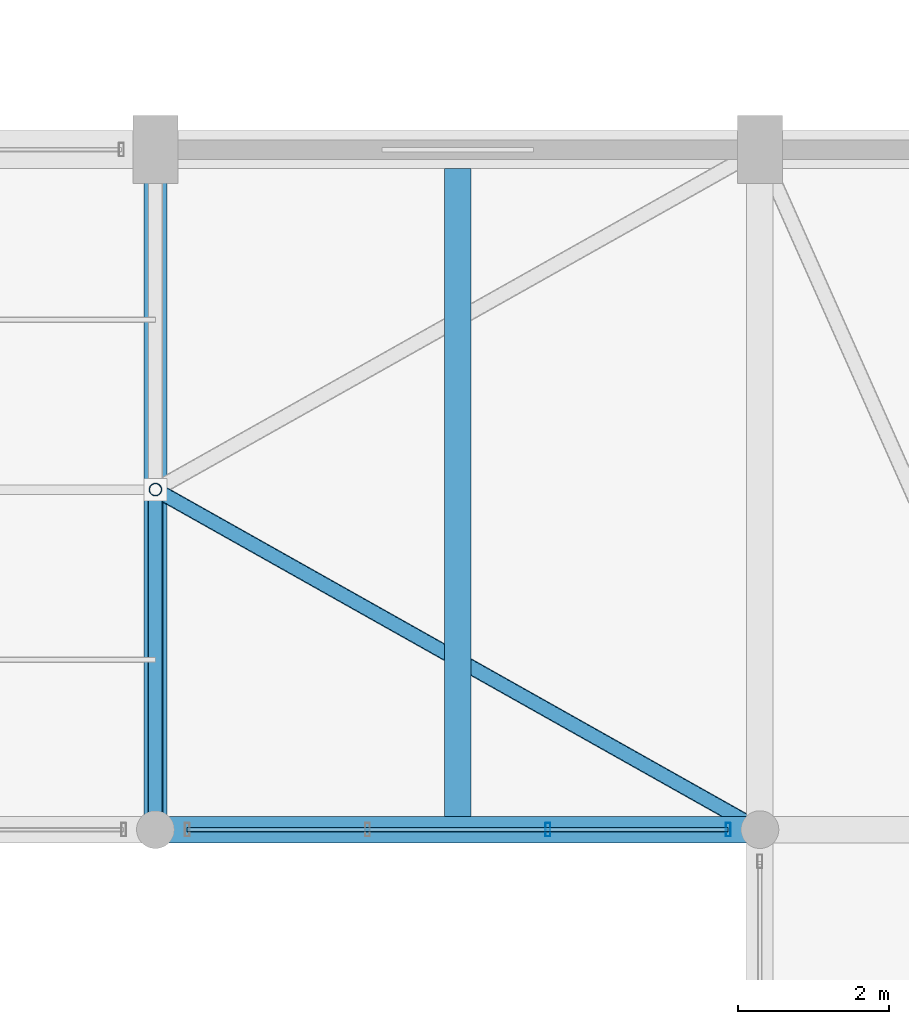
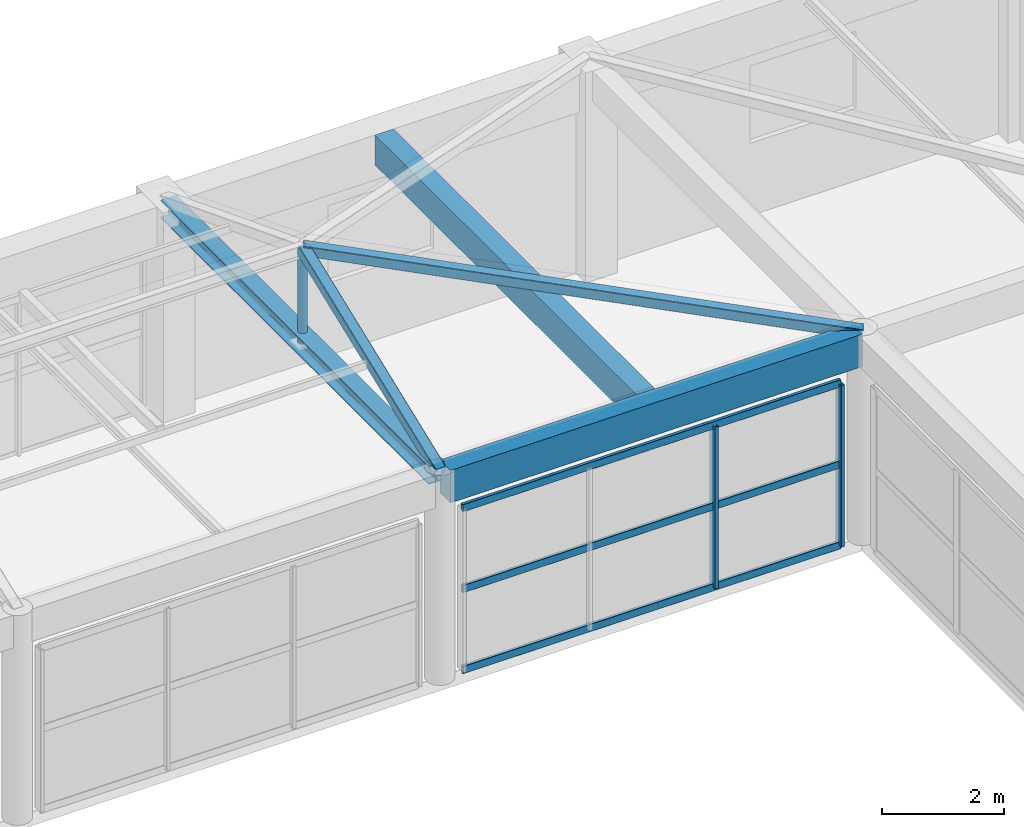
# One storey, part 39 of 65: 8 members, 3 beams, 1 element without a shape of its own.
"""IFC4 building model written with IfcOpenShell, lengths in metres."""

import ifcopenshell
import ifcopenshell.guid

model = None  # the IFC model being written
_history = None  # IfcOwnerHistory: only IFC2X3 demands one
_inside = {}  # id of a spatial element -> (the spatial element, [elements in it])
_under = {}  # id of a project, library or spatial element -> (it, [spatial elements below it])
_declared = {}  # id of a project -> (the project, [libraries it declares])
_typed = {}  # id of a type object -> (the type object, [elements of that type])
_made_of = {}  # id of a material, layer set ... -> (it, [elements and type objects made of it])


def new_model(schema):
    """Start an empty IFC model of exactly this schema.

    Asked for "IFC4X3", IfcOpenShell would pick the latest addendum, in which some entities
    have other attributes; the version numbers below select the first issue.
    IFC2X3 requires an IfcOwnerHistory on every rooted entity: one is made here for all.
    """
    global model, _history
    if schema == "IFC4X3":
        model = ifcopenshell.file(schema_version=(4, 3, 0, 0))
    else:
        model = ifcopenshell.file(schema=schema)
    _inside.clear()
    _under.clear()
    _declared.clear()
    _typed.clear()
    _made_of.clear()
    _history = None
    if model.schema == "IFC2X3":
        org = make("IfcOrganization", Name="unknown")
        user = make(
            "IfcPersonAndOrganization",
            ThePerson=make("IfcPerson", FamilyName="unknown"),
            TheOrganization=org,
        )
        app = make(
            "IfcApplication",
            ApplicationDeveloper=org,
            Version="unknown",
            ApplicationFullName="unknown",
            ApplicationIdentifier="unknown",
        )
        _history = make(
            "IfcOwnerHistory",
            OwningUser=user,
            OwningApplication=app,
            ChangeAction="ADDED",
            CreationDate=0,
        )
    return model


def make(cls, **values):
    """One entity of the class cls with the attributes given. An attribute that is None is left unset."""
    return model.create_entity(
        cls, **{name: value for name, value in values.items() if value is not None}
    )


def rooted(cls, **values):
    """An entity with a GlobalId (a new one), such as an element, a storey or a relation."""
    return make(cls, GlobalId=ifcopenshell.guid.new(), OwnerHistory=_history, **values)


def si_unit(unit_type, name, prefix=None):
    """IfcSIUnit, for example si_unit("LENGTHUNIT", "METRE", prefix="MILLI")."""
    return make("IfcSIUnit", UnitType=unit_type, Prefix=prefix, Name=name)


def assignment(units):
    """IfcUnitAssignment: the units of a project."""
    return None if units is None else make("IfcUnitAssignment", Units=units)


def point(xyz):
    """IfcCartesianPoint."""
    return None if xyz is None else make("IfcCartesianPoint", Coordinates=xyz)


def direction(xyz):
    """IfcDirection."""
    return None if xyz is None else make("IfcDirection", DirectionRatios=xyz)


def frame(location, z_axis=None, x_axis=None):
    """IfcAxis2Placement3D, a coordinate frame: its origin and axes. An axis left out is left unset."""
    return make(
        "IfcAxis2Placement3D",
        Location=point(location),
        Axis=direction(z_axis),
        RefDirection=direction(x_axis),
    )


def frame_2d(location, x_axis=None):
    """IfcAxis2Placement2D, a coordinate frame in the plane: its origin and x axis."""
    return make(
        "IfcAxis2Placement2D", Location=point(location), RefDirection=direction(x_axis)
    )


def origin():
    """The frame at (0, 0, 0) with its axes left unset."""
    return frame((0.0, 0.0, 0.0))


def origin_2d():
    """The frame at (0, 0) in the plane with its x axis left unset."""
    return frame_2d((0.0, 0.0))


def place(relative_to, where):
    """IfcLocalPlacement: puts the frame where relative to a parent placement (None: the world)."""
    return make(
        "IfcLocalPlacement", PlacementRelTo=relative_to, RelativePlacement=where
    )


def context(
    kind, dimensions, precision=None, world=None, true_north=None, identifier=None
):
    """IfcGeometricRepresentationContext, for example the 3D "Model" context."""
    return make(
        "IfcGeometricRepresentationContext",
        ContextIdentifier=identifier,
        ContextType=kind,
        CoordinateSpaceDimension=dimensions,
        Precision=precision,
        WorldCoordinateSystem=world,
        TrueNorth=true_north,
    )


def subcontext(parent, identifier, kind, view, scale=None):
    """IfcGeometricRepresentationSubContext, for example "Body" below "Model"."""
    return make(
        "IfcGeometricRepresentationSubContext",
        ContextIdentifier=identifier,
        ContextType=kind,
        ParentContext=parent,
        TargetScale=scale,
        TargetView=view,
    )


def project(units=None, contexts=None):
    """IfcProject with its units and contexts."""
    return rooted(
        "IfcProject",
        Name="project",
        RepresentationContexts=contexts,
        UnitsInContext=assignment(units),
    )


def spatial(cls, under=None, at=None, **own):
    """A site, building, storey or space (cls), placed at a placement, below another one or the project."""
    s = rooted(cls, ObjectPlacement=at, **own)
    if under is not None:
        _under.setdefault(under.id(), (under, []))[1].append(s)
    return s


def profile(cls, at=None, kind="AREA", **sizes):
    """A parametric profile (cls). Its sizes go by their IFC names, for example OverallWidth=200.0."""
    return make(cls, ProfileType=kind, Position=at, **sizes)


def rectangle(**sizes):
    """IfcRectangleProfileDef."""
    return profile("IfcRectangleProfileDef", **sizes)


def hollow_rectangle(**sizes):
    """IfcRectangleHollowProfileDef."""
    return profile("IfcRectangleHollowProfileDef", **sizes)


def hollow_circle(**sizes):
    """IfcCircleHollowProfileDef."""
    return profile("IfcCircleHollowProfileDef", **sizes)


def i_section(**sizes):
    """IfcIShapeProfileDef."""
    return profile("IfcIShapeProfileDef", **sizes)


def extrude(swept, where, along, depth):
    """IfcExtrudedAreaSolid: the profile swept, set in the frame where, extruded along a direction by depth."""
    return make(
        "IfcExtrudedAreaSolid",
        SweptArea=swept,
        Position=where,
        ExtrudedDirection=direction(along),
        Depth=depth,
    )


def shape(context_of_items, identifier, shape_type, items):
    """IfcShapeRepresentation: the items that make up one representation, for example the "Body"."""
    return make(
        "IfcShapeRepresentation",
        ContextOfItems=context_of_items,
        RepresentationIdentifier=identifier,
        RepresentationType=shape_type,
        Items=items,
    )


def material(Name=None, Category=None):
    """IfcMaterial."""
    return make("IfcMaterial", Name=Name, Category=Category)


def material_profile(
    of_material, cross_section, Name=None, Category=None, Priority=None
):
    """IfcMaterialProfile: a cross section and its material."""
    return make(
        "IfcMaterialProfile",
        Name=Name,
        Material=of_material,
        Profile=cross_section,
        Priority=Priority,
        Category=Category,
    )


def profile_set(profiles, Name=None, composite=None):
    """IfcMaterialProfileSet."""
    return make(
        "IfcMaterialProfileSet",
        Name=Name,
        MaterialProfiles=profiles,
        CompositeProfile=composite,
    )


def made_of(thing, what):
    """Note that an element or type object is made of a material, layer set ...; save() writes the relation."""
    if what is not None:
        _made_of.setdefault(what.id(), (what, []))[1].append(thing)
    return thing


def type_object(cls, material=None, **own):
    """A type object (cls), such as IfcWallType, which elements share."""
    return made_of(rooted(cls, **own), material)


def element(
    cls,
    number,
    at=None,
    inside=None,
    cuts=None,
    type_object=None,
    material=None,
    context=None,
    identifier="Body",
    shape_type=None,
    held_by="IfcProductDefinitionShape",
    body=None,
    shapes=None,
    **own,
):
    """One element of the class cls, such as IfcWall. Its Tag is "e" and its number.

    at: its placement. inside: the storey or other place that contains it. cuts: it is an
    opening in that element (IfcRelVoidsElement). A single representation is given by context,
    identifier, shape_type and body (its items); several are given by shapes. held_by: the class
    of the entity that holds the representations. save() writes the other relations.
    """
    e = rooted(cls, Tag="e%d" % number, ObjectPlacement=at, **own)
    if body is not None:
        shapes = [shape(context, identifier, shape_type, body)]
    if shapes is not None:
        e.Representation = make(held_by, Representations=shapes)
    if inside is not None:
        _inside.setdefault(inside.id(), (inside, []))[1].append(e)
    if cuts is not None:
        rooted(
            "IfcRelVoidsElement", RelatingBuildingElement=cuts, RelatedOpeningElement=e
        )
    if type_object is not None:
        _typed.setdefault(type_object.id(), (type_object, []))[1].append(e)
    return made_of(e, material)


def aggregate(whole, parts):
    """IfcRelAggregates: a whole, such as a stair, and the parts it consists of."""
    return rooted("IfcRelAggregates", RelatingObject=whole, RelatedObjects=parts)


def save(model, path):
    """Write the relations noted so far, then the file.

    IfcRelAggregates (storeys below a building ...), IfcRelContainedInSpatialStructure (elements
    in a storey), IfcRelDefinesByType, IfcRelAssociatesMaterial and IfcRelDeclares: one each for
    every whole, place, type object, material and project.
    """
    for whole, parts in _under.values():
        aggregate(whole, parts)
    for where, things in _inside.values():
        rooted(
            "IfcRelContainedInSpatialStructure",
            RelatedElements=things,
            RelatingStructure=where,
        )
    for kind, things in _typed.values():
        rooted("IfcRelDefinesByType", RelatedObjects=things, RelatingType=kind)
    for what, things in _made_of.values():
        rooted("IfcRelAssociatesMaterial", RelatedObjects=things, RelatingMaterial=what)
    for by, libraries in _declared.values():
        rooted("IfcRelDeclares", RelatingContext=by, RelatedDefinitions=libraries)
    model.write(path)


model = new_model("IFC4")

# Units and contexts
model_context = context("Model", 3, precision=1e-05, world=origin(), true_north=direction((0.0, 1.0)))
body_context = subcontext(model_context, "Body", "Model", "MODEL_VIEW")
ifc_project = project(units=[si_unit("LENGTHUNIT", "METRE"), si_unit("AREAUNIT", "SQUARE_METRE"), si_unit("VOLUMEUNIT", "CUBIC_METRE"), si_unit("PLANEANGLEUNIT", "RADIAN"), si_unit("MASSUNIT", "GRAM", prefix="KILO")], contexts=[model_context])

# Site, building, storey
site_placement = place(None, origin())
site = spatial("IfcSite", under=ifc_project, at=site_placement, CompositionType="ELEMENT")
building_placement = place(site_placement, origin())
building = spatial("IfcBuilding", under=site, at=building_placement, Name="Varnabhumi Central Station", CompositionType="ELEMENT")
storey_placement = place(building_placement, frame((0.0, 0.0, 24.60009765625)))
storey = spatial("IfcBuildingStorey", under=building, at=storey_placement, Name="L05", CompositionType="ELEMENT", Elevation=24.60009765625)

# Beams
ifc_material_1 = material(Name="Concrete M40", Category="concrete")
ifc_material_profile_1 = material_profile(ifc_material_1, rectangle(XDim=0.35009765625, YDim=0.64990234375, at=origin_2d()), Name="Concrete M40", Category="concrete")
ifc_profile_set_1 = profile_set([ifc_material_profile_1], Name="Concrete M40")
beam_type_1 = type_object("IfcBeamType", Name="BM-RC-350x650", PredefinedType="BEAM", material=ifc_profile_set_1)
beam_1_placement = place(storey_placement, frame((136.10009765625, 27.0, 3.875), z_axis=(1.0, 0.0, 0.0), x_axis=(0.0, 1.0, 0.0)))
element("IfcBeam", 1, at=beam_1_placement, inside=storey, type_object=beam_type_1, Name="Beam L05-D:18-19", PredefinedType="BEAM", context=body_context, shape_type="SweptSolid", body=[
    extrude(rectangle(XDim=0.35009765625, YDim=0.64990234375, at=origin_2d()), origin(), (0.0, 0.0, 1.0), 7.7998046875),
])
ifc_material_profile_2 = material_profile(ifc_material_1, rectangle(XDim=0.35009765625, YDim=0.60009765625, at=origin_2d()), Name="Concrete M40", Category="concrete")
ifc_profile_set_2 = profile_set([ifc_material_profile_2], Name="Concrete M40")
beam_type_2 = type_object("IfcBeamType", Name="BM-RC-600x350", PredefinedType="JOIST", material=ifc_profile_set_2)
beam_2_placement = place(storey_placement, frame((140.0, 27.175048828125, 3.89990234375), z_axis=(0.0, 1.0, 0.0), x_axis=(-1.0, 0.0, 0.0)))
element("IfcBeam", 2, at=beam_2_placement, inside=storey, type_object=beam_type_2, Name="Secondary Joist L05-18/19:D-E", PredefinedType="JOIST", context=body_context, shape_type="SweptSolid", body=[
    extrude(rectangle(XDim=0.35009765625, YDim=0.60009765625, at=origin_2d()), origin(), (0.0, 0.0, 1.0), 8.574951171875),
])
ifc_material_2 = material(Name="Structural steel E350", Category="steel")
ifc_material_profile_3 = material_profile(ifc_material_2, i_section(OverallWidth=0.300048828125, OverallDepth=0.360107421875, WebThickness=0.012451171875, FlangeThickness=0.0224609375, FilletRadius=0.027099609375, at=origin_2d()), Name="Structural steel E350", Category="steel")
ifc_profile_set_3 = profile_set([ifc_material_profile_3], Name="Structural steel E350")
beam_type_3 = type_object("IfcBeamType", Name="BM-STL-WPB360", PredefinedType="BEAM", material=ifc_profile_set_3)
beam_3_placement = place(storey_placement, frame((136.0, 27.10009765625, 4.02001953125), z_axis=(0.0, 1.0, 0.0), x_axis=(-1.0, 0.0, 0.0)))
element("IfcBeam", 3, at=beam_3_placement, inside=storey, type_object=beam_type_3, Name="Beam L05-18:D-E", PredefinedType="BEAM", context=body_context, shape_type="SweptSolid", body=[
    extrude(i_section(OverallWidth=0.300048828125, OverallDepth=0.360107421875, WebThickness=0.012451171875, FlangeThickness=0.0224609375, FilletRadius=0.027099609375, at=origin_2d()), origin(), (0.0, 0.0, 1.0), 8.7998046875),
])

# Curtain wall, members
ifc_material_3 = material(Name="Anodised aluminium 6063-T6", Category="aluminium")
curtain_wall_type = type_object("IfcCurtainWallType", Name="CW-PATIO-LOGGIA-L3", PredefinedType="NOTDEFINED", material=ifc_material_3)
curtain_wall_placement = place(storey_placement, origin())
curtain_wall = element("IfcCurtainWall", 4, at=curtain_wall_placement, inside=storey, type_object=curtain_wall_type, Name="Curtain Wall CW-SP5N4", PredefinedType="NOTDEFINED")
ifc_material_profile_4 = material_profile(ifc_material_3, hollow_rectangle(XDim=0.06494140625, YDim=0.179931640625, WallThickness=0.00390625, InnerFilletRadius=0.001953125, OuterFilletRadius=0.006103515625, at=origin_2d()), Name="Anodised aluminium 6063-T6", Category="aluminium")
ifc_profile_set_4 = profile_set([ifc_material_profile_4], Name="Anodised aluminium 6063-T6")
member_type_1 = type_object("IfcMemberType", Name="CW-MUL-180", PredefinedType="MULLION", material=ifc_profile_set_4)
member_1_placement = place(storey_placement, frame((141.193359375, 27.0, 0.0), z_axis=(0.0, 0.0, 1.0), x_axis=(1.0, 0.0, 0.0)))
member_1 = element("IfcMember", 5, at=member_1_placement, type_object=member_type_1, Name="Curtain Wall Mullion CW-SP5N4-M3", PredefinedType="MULLION", context=body_context, shape_type="SweptSolid", body=[
    extrude(hollow_rectangle(XDim=0.06494140625, YDim=0.179931640625, WallThickness=0.00390625, InnerFilletRadius=0.001953125, OuterFilletRadius=0.006103515625, at=origin_2d()), origin(), (0.0, 0.0, 1.0), 3.239990234375),
])
member_2_placement = place(storey_placement, frame((143.580078125, 27.0, 0.0), z_axis=(0.0, 0.0, 1.0), x_axis=(1.0, 0.0, 0.0)))
member_2 = element("IfcMember", 6, at=member_2_placement, type_object=member_type_1, Name="Curtain Wall Mullion CW-SP5N4-M4", PredefinedType="MULLION", context=body_context, shape_type="SweptSolid", body=[
    extrude(hollow_rectangle(XDim=0.06494140625, YDim=0.179931640625, WallThickness=0.00390625, InnerFilletRadius=0.001953125, OuterFilletRadius=0.006103515625, at=origin_2d()), origin(), (0.0, 0.0, 1.0), 3.239990234375),
])
ifc_material_profile_5 = material_profile(ifc_material_3, hollow_rectangle(XDim=0.06005859375, YDim=0.14990234375, WallThickness=0.00390625, InnerFilletRadius=0.001953125, OuterFilletRadius=0.006103515625, at=origin_2d()), Name="Anodised aluminium 6063-T6", Category="aluminium")
ifc_profile_set_5 = profile_set([ifc_material_profile_5], Name="Anodised aluminium 6063-T6")
member_type_2 = type_object("IfcMemberType", Name="CW-TR-150", PredefinedType="USERDEFINED", material=ifc_profile_set_5)
member_3_placement = place(storey_placement, frame((136.419921875, 27.0, 0.0), z_axis=(1.0, 0.0, 0.0), x_axis=(0.0, 1.0, 0.0)))
member_3 = element("IfcMember", 7, at=member_3_placement, type_object=member_type_2, Name="Curtain Wall Transom CW-SP5N4-T1", ObjectType="TRANSOM", PredefinedType="USERDEFINED", context=body_context, shape_type="SweptSolid", body=[
    extrude(hollow_rectangle(XDim=0.06005859375, YDim=0.14990234375, WallThickness=0.00390625, InnerFilletRadius=0.001953125, OuterFilletRadius=0.006103515625, at=origin_2d()), origin(), (0.0, 0.0, 1.0), 7.16015625),
])
member_4_placement = place(storey_placement, frame((136.419921875, 27.0, 1.619873046875), z_axis=(1.0, 0.0, 0.0), x_axis=(0.0, 1.0, 0.0)))
member_4 = element("IfcMember", 8, at=member_4_placement, type_object=member_type_2, Name="Curtain Wall Transom CW-SP5N4-T2", ObjectType="TRANSOM", PredefinedType="USERDEFINED", context=body_context, shape_type="SweptSolid", body=[
    extrude(hollow_rectangle(XDim=0.06005859375, YDim=0.14990234375, WallThickness=0.00390625, InnerFilletRadius=0.001953125, OuterFilletRadius=0.006103515625, at=origin_2d()), origin(), (0.0, 0.0, 1.0), 7.16015625),
])
member_5_placement = place(storey_placement, frame((136.419921875, 27.0, 3.239990234375), z_axis=(1.0, 0.0, 0.0), x_axis=(0.0, 1.0, 0.0)))
member_5 = element("IfcMember", 9, at=member_5_placement, type_object=member_type_2, Name="Curtain Wall Transom CW-SP5N4-T3", ObjectType="TRANSOM", PredefinedType="USERDEFINED", context=body_context, shape_type="SweptSolid", body=[
    extrude(hollow_rectangle(XDim=0.06005859375, YDim=0.14990234375, WallThickness=0.00390625, InnerFilletRadius=0.001953125, OuterFilletRadius=0.006103515625, at=origin_2d()), origin(), (0.0, 0.0, 1.0), 7.16015625),
])
aggregate(curtain_wall, [member_1, member_2, member_3, member_4, member_5])

# Members
ifc_material_profile_6 = material_profile(ifc_material_2, hollow_rectangle(XDim=0.199951171875, YDim=0.199951171875, WallThickness=0.010009765625, InnerFilletRadius=0.010009765625, OuterFilletRadius=0.02001953125, at=origin_2d()), Name="Structural steel E350", Category="steel")
ifc_profile_set_6 = profile_set([ifc_material_profile_6], Name="Structural steel E350")
member_type_3 = type_object("IfcMemberType", Name="MBR-RAFT-SHS200", PredefinedType="RAFTER", material=ifc_profile_set_6)
member_6_placement = place(storey_placement, frame((144.0, 27.0, 4.10986328125), z_axis=(-0.856153773676, 0.481586497693, 0.187283637992), x_axis=(-0.490261239633, -0.871575537125, 0.0)))
element("IfcMember", 10, at=member_6_placement, inside=storey, type_object=member_type_3, Name="Mission Roof Hip Rafter SW6CN-WS", PredefinedType="RAFTER", context=body_context, shape_type="SweptSolid", body=[
    extrude(hollow_rectangle(XDim=0.199951171875, YDim=0.199951171875, WallThickness=0.010009765625, InnerFilletRadius=0.010009765625, OuterFilletRadius=0.02001953125, at=origin_2d()), origin(), (0.0, 0.0, 1.0), 9.343994140625),
])
member_7_placement = place(storey_placement, frame((136.0, 27.0, 4.10986328125), z_axis=(0.0, 0.932004671541, 0.362446261155), x_axis=(-1.0, 0.0, 0.0)))
element("IfcMember", 11, at=member_7_placement, inside=storey, type_object=member_type_3, Name="Mission Roof South Rafter SW6CN-4", PredefinedType="RAFTER", context=body_context, shape_type="SweptSolid", body=[
    extrude(hollow_rectangle(XDim=0.199951171875, YDim=0.199951171875, WallThickness=0.010009765625, InnerFilletRadius=0.010009765625, OuterFilletRadius=0.02001953125, at=origin_2d()), origin(), (0.0, 0.0, 1.0), 4.828369140625),
])
ifc_material_profile_7 = material_profile(ifc_material_2, hollow_circle(Radius=0.084228515625, WallThickness=0.008056640625, at=origin_2d()), Name="Structural steel E350", Category="steel")
ifc_profile_set_7 = profile_set([ifc_material_profile_7], Name="Structural steel E350")
member_type_4 = type_object("IfcMemberType", Name="MBR-STRUT-CHS168", PredefinedType="STRUT", material=ifc_profile_set_7)
member_8_placement = place(storey_placement, frame((136.0, 31.5, 3.949951171875), z_axis=(0.0, 0.0, 1.0), x_axis=(1.0, 0.0, 0.0)))
element("IfcMember", 12, at=member_8_placement, inside=storey, type_object=member_type_4, Name="Mission Roof King Strut SW6CN-4", PredefinedType="STRUT", context=body_context, shape_type="SweptSolid", body=[
    extrude(hollow_circle(Radius=0.084228515625, WallThickness=0.008056640625, at=origin_2d()), origin(), (0.0, 0.0, 1.0), 1.8798828125),
])

save(model, "model.ifc")
